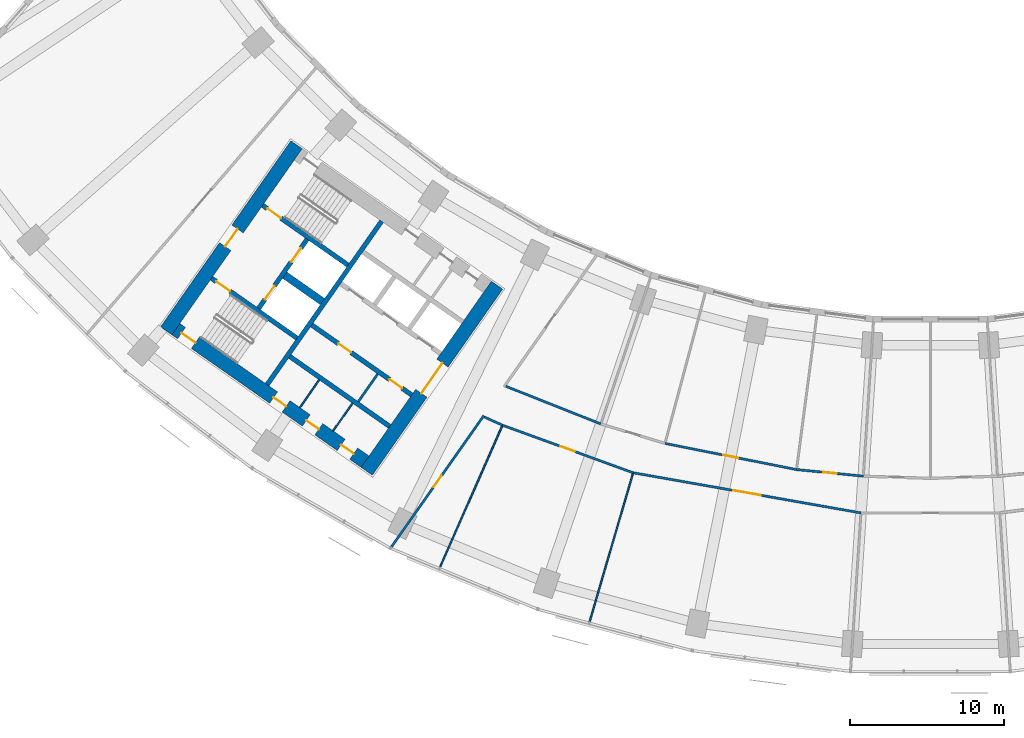
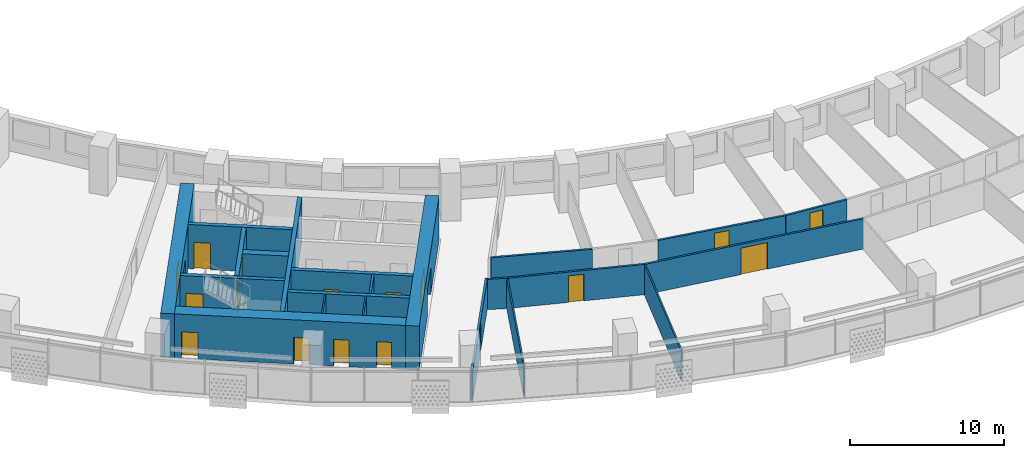
# One storey, part 3 of 31: 22 walls, 17 doors, 17 openings.
"""IFC4 building model written with IfcOpenShell, lengths in metres."""

from ifc_helpers import new_model, si_unit, direction, frame, frame_2d, origin, place, context, subcontext, project, spatial, rectangle, extrude, material, layer, layer_set, type_object, element, fill, save


model = new_model("IFC4")

# Units and contexts
model_context = context("Model", 3, precision=1e-05, world=origin(), true_north=direction((0.0, 1.0)))
body_context = subcontext(model_context, "Body", "Model", "MODEL_VIEW")
ifc_project = project(units=[si_unit("LENGTHUNIT", "METRE"), si_unit("AREAUNIT", "SQUARE_METRE"), si_unit("VOLUMEUNIT", "CUBIC_METRE"), si_unit("PLANEANGLEUNIT", "RADIAN"), si_unit("MASSUNIT", "GRAM", prefix="KILO")], contexts=[model_context])

# Site, building, storey
site_placement = place(None, origin())
site = spatial("IfcSite", under=ifc_project, at=site_placement, CompositionType="ELEMENT")
building_placement = place(site_placement, origin())
building = spatial("IfcBuilding", under=site, at=building_placement, Name="Qamariyya Broadcast Tower", CompositionType="ELEMENT")
storey_placement = place(building_placement, frame((0.0, 0.0, 59.5)))
storey = spatial("IfcBuildingStorey", under=building, at=storey_placement, Name="L11", CompositionType="ELEMENT", Elevation=59.5)

# Wall, opening, door
ifc_material_1 = material(Name="Concrete C70/85", Category="concrete")
ifc_layer_1 = layer(ifc_material_1, 0.89990234375)
ifc_layer_set_1 = layer_set([ifc_layer_1], Name="Core wall 900 mm Concrete C70/85")
wall_type_1 = type_object("IfcWallType", Name="Core wall 900 mm Concrete C70/85", PredefinedType="SHEAR", material=ifc_layer_set_1)
wall_1_placement = place(storey_placement, frame((-36.716796875, -66.3369140625, 0.0), z_axis=(0.0, 0.0, 1.0), x_axis=(0.573577477574, 0.819151315216, 0.0)))
wall_1 = element("IfcWall", 1, at=wall_1_placement, inside=storey, type_object=wall_type_1, Name="k-W-L11-WA", PredefinedType="SHEAR", context=body_context, shape_type="SweptSolid", body=[
    extrude(rectangle(XDim=14.800048828125, YDim=0.89990234375, at=frame_2d((7.39990234375, 0.0))), origin(), (0.0, 0.0, 1.0), 3.5),
])
opening_1_placement = place(wall_1_placement, frame((6.199951171875, 0.0, 0.0)))
opening_1 = element("IfcOpeningElement", 2, at=opening_1_placement, cuts=wall_1, Name="Opening KD3-W1", PredefinedType="OPENING", context=body_context, shape_type="SweptSolid", body=[
    extrude(rectangle(XDim=2.39990234375, YDim=2.10009765625, at=frame_2d((1.199951171875, 1.050048828125))), frame((0.0, 0.4599609375, 0.0), z_axis=(0.0, -1.0, 0.0), x_axis=(1.0, 0.0, 0.0)), (0.0, 0.0, 1.0), 0.919921875),
])
ifc_material_2 = material(Name="Steel fire-resisting door leaf", Category="steel")
door_type_1 = type_object("IfcDoorType", Name="Lift lobby door KD3", OperationType="DOUBLE_DOOR_SINGLE_SWING", PredefinedType="DOOR", material=ifc_material_2)
door_1_placement = place(opening_1_placement, origin())
door_1 = element("IfcDoor", 3, at=door_1_placement, inside=storey, type_object=door_type_1, Name="k-W-L11-WA-D1", OperationType="DOUBLE_DOOR_SINGLE_SWING", OverallHeight=2.10009765625, OverallWidth=2.39990234375, PredefinedType="DOOR", context=body_context, shape_type="SweptSolid", body=[
    extrude(rectangle(XDim=2.39990234375, YDim=2.10009765625, at=frame_2d((1.199951171875, 1.050048828125))), frame((0.0, 0.02490234375, 0.0), z_axis=(0.0, -1.0, 0.0), x_axis=(1.0, 0.0, 0.0)), (0.0, 0.0, 1.0), 0.050048828125),
])
fill(opening_1, door_1)

wall_2_placement = place(storey_placement, frame((-49.778564453125, -57.191162109375, 0.0), z_axis=(0.0, 0.0, 1.0), x_axis=(0.573577477574, 0.819151315216, 0.0)))
wall_2 = element("IfcWall", 4, at=wall_2_placement, inside=storey, type_object=wall_type_1, Name="k-W-L11-WH", PredefinedType="SHEAR", context=body_context, shape_type="SweptSolid", body=[
    extrude(rectangle(XDim=14.800048828125, YDim=0.89990234375, at=frame_2d((7.39990234375, 0.0))), origin(), (0.0, 0.0, 1.0), 3.5),
])
opening_2_placement = place(wall_2_placement, frame((6.699951171875, 0.0, 0.0)))
opening_2 = element("IfcOpeningElement", 5, at=opening_2_placement, cuts=wall_2, Name="Opening KD2-W1", PredefinedType="OPENING", context=body_context, shape_type="SweptSolid", body=[
    extrude(rectangle(XDim=1.39990234375, YDim=2.10009765625, at=frame_2d((0.699951171875, 1.050048828125))), frame((0.0, 0.4599609375, 0.0), z_axis=(0.0, -1.0, 0.0), x_axis=(1.0, 0.0, 0.0)), (0.0, 0.0, 1.0), 0.919921875),
])
door_type_2 = type_object("IfcDoorType", Name="Fire-fighting lobby door KD2", OperationType="DOUBLE_DOOR_SINGLE_SWING", PredefinedType="DOOR", material=ifc_material_2)
door_2_placement = place(opening_2_placement, origin())
door_2 = element("IfcDoor", 6, at=door_2_placement, inside=storey, type_object=door_type_2, Name="k-W-L11-WH-D15", OperationType="DOUBLE_DOOR_SINGLE_SWING", OverallHeight=2.10009765625, OverallWidth=1.39990234375, PredefinedType="DOOR", context=body_context, shape_type="SweptSolid", body=[
    extrude(rectangle(XDim=1.39990234375, YDim=2.10009765625, at=frame_2d((0.699951171875, 1.050048828125))), frame((0.0, 0.02490234375, 0.0), z_axis=(0.0, -1.0, 0.0), x_axis=(1.0, 0.0, 0.0)), (0.0, 0.0, 1.0), 0.050048828125),
])
fill(opening_2, door_2)

# Wall, openings, doors
wall_3_placement = place(storey_placement, frame((-36.827392578125, -65.710205078125, 0.0), z_axis=(0.0, 0.0, 1.0), x_axis=(-0.819153391756, 0.573574511963, 0.0)))
wall_3 = element("IfcWall", 7, at=wall_3_placement, inside=storey, type_object=wall_type_1, Name="k-W-L11-WO", PredefinedType="SHEAR", context=body_context, shape_type="SweptSolid", body=[
    extrude(rectangle(XDim=15.04541015625, YDim=0.89990234375, at=frame_2d((7.522705078125, 0.0))), origin(), (0.0, 0.0, 1.0), 3.5),
])
opening_3_placement = place(wall_3_placement, frame((0.89990234375, 0.0, 0.0)))
opening_3 = element("IfcOpeningElement", 8, at=opening_3_placement, cuts=wall_3, Name="Opening KD4-W2", PredefinedType="OPENING", context=body_context, shape_type="SweptSolid", body=[
    extrude(rectangle(XDim=1.0, YDim=2.10009765625, at=frame_2d((0.5, 1.050048828125))), frame((0.0, 0.4599609375, 0.0), z_axis=(0.0, -1.0, 0.0), x_axis=(1.0, 0.0, 0.0)), (0.0, 0.0, 1.0), 0.919921875),
])
opening_4_placement = place(wall_3_placement, frame((3.675048828125, 0.0, 0.0)))
opening_4 = element("IfcOpeningElement", 9, at=opening_4_placement, cuts=wall_3, Name="Opening KD4-W3", PredefinedType="OPENING", context=body_context, shape_type="SweptSolid", body=[
    extrude(rectangle(XDim=1.0, YDim=2.10009765625, at=frame_2d((0.5, 1.050048828125))), frame((0.0, 0.4599609375, 0.0), z_axis=(0.0, -1.0, 0.0), x_axis=(1.0, 0.0, 0.0)), (0.0, 0.0, 1.0), 0.919921875),
])
opening_5_placement = place(wall_3_placement, frame((6.27490234375, 0.0, 0.0)))
opening_5 = element("IfcOpeningElement", 10, at=opening_5_placement, cuts=wall_3, Name="Opening KD4-W4", PredefinedType="OPENING", context=body_context, shape_type="SweptSolid", body=[
    extrude(rectangle(XDim=1.0, YDim=2.10009765625, at=frame_2d((0.5, 1.050048828125))), frame((0.0, 0.4599609375, 0.0), z_axis=(0.0, -1.0, 0.0), x_axis=(1.0, 0.0, 0.0)), (0.0, 0.0, 1.0), 0.919921875),
])
opening_6_placement = place(wall_3_placement, frame((13.495361328125, 0.0, 0.0)))
opening_6 = element("IfcOpeningElement", 11, at=opening_6_placement, cuts=wall_3, Name="Opening KD1-W3", PredefinedType="OPENING", context=body_context, shape_type="SweptSolid", body=[
    extrude(rectangle(XDim=1.10009765625, YDim=2.10009765625, at=frame_2d((0.550048828125, 1.050048828125))), frame((0.0, 0.4599609375, 0.0), z_axis=(0.0, -1.0, 0.0), x_axis=(1.0, 0.0, 0.0)), (0.0, 0.0, 1.0), 0.919921875),
])
door_type_3 = type_object("IfcDoorType", Name="Riser and plant door KD4", OperationType="SINGLE_SWING_LEFT", PredefinedType="DOOR", material=ifc_material_2)
door_3_placement = place(opening_3_placement, origin())
door_3 = element("IfcDoor", 12, at=door_3_placement, inside=storey, type_object=door_type_3, Name="k-W-L11-WO-D10", OperationType="SINGLE_SWING_LEFT", OverallHeight=2.10009765625, OverallWidth=1.0, PredefinedType="DOOR", context=body_context, shape_type="SweptSolid", body=[
    extrude(rectangle(XDim=1.0, YDim=2.10009765625, at=frame_2d((0.5, 1.050048828125))), frame((0.0, 0.02490234375, 0.0), z_axis=(0.0, -1.0, 0.0), x_axis=(1.0, 0.0, 0.0)), (0.0, 0.0, 1.0), 0.050048828125),
])
fill(opening_3, door_3)
door_4_placement = place(opening_4_placement, origin())
door_4 = element("IfcDoor", 13, at=door_4_placement, inside=storey, type_object=door_type_3, Name="k-W-L11-WO-D11", OperationType="SINGLE_SWING_RIGHT", OverallHeight=2.10009765625, OverallWidth=1.0, PredefinedType="DOOR", context=body_context, shape_type="SweptSolid", body=[
    extrude(rectangle(XDim=1.0, YDim=2.10009765625, at=frame_2d((0.5, 1.050048828125))), frame((0.0, 0.02490234375, 0.0), z_axis=(0.0, -1.0, 0.0), x_axis=(1.0, 0.0, 0.0)), (0.0, 0.0, 1.0), 0.050048828125),
])
fill(opening_4, door_4)
door_5_placement = place(opening_5_placement, origin())
door_5 = element("IfcDoor", 14, at=door_5_placement, inside=storey, type_object=door_type_3, Name="k-W-L11-WO-D12", OperationType="SINGLE_SWING_LEFT", OverallHeight=2.10009765625, OverallWidth=1.0, PredefinedType="DOOR", context=body_context, shape_type="SweptSolid", body=[
    extrude(rectangle(XDim=1.0, YDim=2.10009765625, at=frame_2d((0.5, 1.050048828125))), frame((0.0, 0.02490234375, 0.0), z_axis=(0.0, -1.0, 0.0), x_axis=(1.0, 0.0, 0.0)), (0.0, 0.0, 1.0), 0.050048828125),
])
fill(opening_5, door_5)
door_type_4 = type_object("IfcDoorType", Name="Stair door KD1", OperationType="SINGLE_SWING_LEFT", PredefinedType="DOOR", material=ifc_material_2)
door_6_placement = place(opening_6_placement, origin())
door_6 = element("IfcDoor", 15, at=door_6_placement, inside=storey, type_object=door_type_4, Name="k-W-L11-WO-D18", OperationType="SINGLE_SWING_LEFT", OverallHeight=2.10009765625, OverallWidth=1.10009765625, PredefinedType="DOOR", context=body_context, shape_type="SweptSolid", body=[
    extrude(rectangle(XDim=1.10009765625, YDim=2.10009765625, at=frame_2d((0.550048828125, 1.050048828125))), frame((0.0, 0.02490234375, 0.0), z_axis=(0.0, -1.0, 0.0), x_axis=(1.0, 0.0, 0.0)), (0.0, 0.0, 1.0), 0.050048828125),
])
fill(opening_6, door_6)

# Wall, opening, door
ifc_material_3 = material(Name="Gypsum board partition")
ifc_layer_2 = layer(ifc_material_3, 0.14990234375)
ifc_layer_set_2 = layer_set([ifc_layer_2], Name="Corridor partition 150 EI 60")
wall_type_2 = type_object("IfcWallType", Name="Corridor partition 150 EI 60", PredefinedType="PARTITIONING", material=ifc_layer_set_2)
wall_4_placement = place(storey_placement, frame((-29.087890625, -62.708251953125, 0.0), z_axis=(0.0, 0.0, 1.0), x_axis=(-0.575411972256, -0.817863718589, 0.0)))
wall_4 = element("IfcWall", 16, at=wall_4_placement, inside=storey, type_object=wall_type_2, Name="Partition L11-003", PredefinedType="PARTITIONING", context=body_context, shape_type="SweptSolid", body=[
    extrude(rectangle(XDim=10.471435546875, YDim=0.14990234375, at=frame_2d((5.23583984375, 0.0))), origin(), (0.0, 0.0, 1.0), 2.39990234375),
])
opening_7_placement = place(wall_4_placement, frame((4.78564453125, 0.0, 0.0)))
opening_7 = element("IfcOpeningElement", 17, at=opening_7_placement, cuts=wall_4, Name="Opening L11-D01", PredefinedType="OPENING", context=body_context, shape_type="SweptSolid", body=[
    extrude(rectangle(XDim=0.89990234375, YDim=2.10009765625, at=frame_2d((0.449951171875, 1.050048828125))), frame((0.0, 0.0849609375, 0.0), z_axis=(0.0, -1.0, 0.0), x_axis=(1.0, 0.0, 0.0)), (0.0, 0.0, 1.0), 0.169921875),
])
ifc_material_4 = material(Name="Timber fire door leaf", Category="wood")
door_type_5 = type_object("IfcDoorType", Name="Fire door 900 x 2100 FD60", OperationType="NOTDEFINED", PredefinedType="DOOR", material=ifc_material_4)
door_7_placement = place(opening_7_placement, origin())
door_7 = element("IfcDoor", 18, at=door_7_placement, inside=storey, type_object=door_type_5, Name="Door L11-D01", OperationType="SINGLE_SWING_RIGHT", OverallHeight=2.10009765625, OverallWidth=0.89990234375, PredefinedType="DOOR", context=body_context, shape_type="SweptSolid", body=[
    extrude(rectangle(XDim=0.89990234375, YDim=2.10009765625, at=frame_2d((0.449951171875, 1.050048828125))), frame((0.0, 0.02490234375, 0.0), z_axis=(0.0, -1.0, 0.0), x_axis=(1.0, 0.0, 0.0)), (0.0, 0.0, 1.0), 0.050048828125),
])
fill(opening_7, door_7)

# Wall
wall_5_placement = place(storey_placement, frame((-29.062744140625, -62.800537109375, 0.0), z_axis=(0.0, 0.0, 1.0), x_axis=(0.911228141646, -0.411902019748, 0.0)))
element("IfcWall", 19, at=wall_5_placement, inside=storey, type_object=wall_type_2, Name="Partition L11-004", PredefinedType="PARTITIONING", context=body_context, shape_type="SweptSolid", body=[
    extrude(rectangle(XDim=1.306884765625, YDim=0.14990234375, at=frame_2d((0.6533203125, 0.0))), origin(), (0.0, 0.0, 1.0), 2.39990234375),
])

# Wall, opening, door
wall_6_placement = place(storey_placement, frame((-19.365966796875, -66.434814453125, 0.0), z_axis=(0.0, 0.0, 1.0), x_axis=(-0.939690219257, 0.342026741401, 0.0)))
wall_6 = element("IfcWall", 20, at=wall_6_placement, inside=storey, type_object=wall_type_2, Name="Partition L11-005", PredefinedType="PARTITIONING", context=body_context, shape_type="SweptSolid", body=[
    extrude(rectangle(XDim=9.0517578125, YDim=0.14990234375, at=frame_2d((4.52587890625, 0.0))), origin(), (0.0, 0.0, 1.0), 2.39990234375),
])
opening_8_placement = place(wall_6_placement, frame((4.02587890625, 0.0, 0.0)))
opening_8 = element("IfcOpeningElement", 21, at=opening_8_placement, cuts=wall_6, Name="Opening L11-D02", PredefinedType="OPENING", context=body_context, shape_type="SweptSolid", body=[
    extrude(rectangle(XDim=1.0, YDim=2.10009765625, at=frame_2d((0.5, 1.050048828125))), frame((0.0, 0.0849609375, 0.0), z_axis=(0.0, -1.0, 0.0), x_axis=(1.0, 0.0, 0.0)), (0.0, 0.0, 1.0), 0.169921875),
])
door_type_6 = type_object("IfcDoorType", Name="Fire door 1000 x 2100 FD60", OperationType="NOTDEFINED", PredefinedType="DOOR", material=ifc_material_4)
door_8_placement = place(opening_8_placement, origin())
door_8 = element("IfcDoor", 22, at=door_8_placement, inside=storey, type_object=door_type_6, Name="Door L11-D02", OperationType="SINGLE_SWING_RIGHT", OverallHeight=2.10009765625, OverallWidth=1.0, PredefinedType="DOOR", context=body_context, shape_type="SweptSolid", body=[
    extrude(rectangle(XDim=1.0, YDim=2.10009765625, at=frame_2d((0.5, 1.050048828125))), frame((0.0, 0.02490234375, 0.0), z_axis=(0.0, -1.0, 0.0), x_axis=(1.0, 0.0, 0.0)), (0.0, 0.0, 1.0), 0.050048828125),
])
fill(opening_8, door_8)

# Wall
wall_7_placement = place(storey_placement, frame((-27.6572265625, -60.801513671875, 0.0), z_axis=(0.0, 0.0, 1.0), x_axis=(0.929543215203, -0.368713182663, 0.0)))
element("IfcWall", 23, at=wall_7_placement, inside=storey, type_object=wall_type_2, Name="Partition L11-006", PredefinedType="PARTITIONING", context=body_context, shape_type="SweptSolid", body=[
    extrude(rectangle(XDim=6.65380859375, YDim=0.14990234375, at=frame_2d((3.326904296875, 0.0))), origin(), (0.0, 0.0, 1.0), 2.39990234375),
])

# Wall, opening, door
wall_8_placement = place(storey_placement, frame((-4.52587890625, -69.0517578125, 0.0), z_axis=(0.0, 0.0, 1.0), x_axis=(-0.984805080703, 0.173663332402, 0.0)))
wall_8 = element("IfcWall", 24, at=wall_8_placement, inside=storey, type_object=wall_type_2, Name="Partition L11-010", PredefinedType="PARTITIONING", context=body_context, shape_type="SweptSolid", body=[
    extrude(rectangle(XDim=15.069091796875, YDim=0.14990234375, at=frame_2d((7.53466796875, 0.0))), origin(), (0.0, 0.0, 1.0), 2.39990234375),
])
opening_9_placement = place(wall_8_placement, frame((6.634521484375, 0.0, 0.0)))
opening_9 = element("IfcOpeningElement", 25, at=opening_9_placement, cuts=wall_8, Name="Opening L11-D03", PredefinedType="OPENING", context=body_context, shape_type="SweptSolid", body=[
    extrude(rectangle(XDim=1.800048828125, YDim=2.10009765625, at=frame_2d((0.89990234375, 1.050048828125))), frame((0.0, 0.0849609375, 0.0), z_axis=(0.0, -1.0, 0.0), x_axis=(1.0, 0.0, 0.0)), (0.0, 0.0, 1.0), 0.169921875),
])
door_type_7 = type_object("IfcDoorType", Name="Double fire door 1800 x 2100 FD60", OperationType="NOTDEFINED", PredefinedType="DOOR", material=ifc_material_4)
door_9_placement = place(opening_9_placement, origin())
door_9 = element("IfcDoor", 26, at=door_9_placement, inside=storey, type_object=door_type_7, Name="Door L11-D03", OperationType="DOUBLE_DOOR_SINGLE_SWING", OverallHeight=2.10009765625, OverallWidth=1.800048828125, PredefinedType="DOOR", context=body_context, shape_type="SweptSolid", body=[
    extrude(rectangle(XDim=1.800048828125, YDim=2.10009765625, at=frame_2d((0.89990234375, 1.050048828125))), frame((0.0, 0.02490234375, 0.0), z_axis=(0.0, -1.0, 0.0), x_axis=(1.0, 0.0, 0.0)), (0.0, 0.0, 1.0), 0.050048828125),
])
fill(opening_9, door_9)

wall_9_placement = place(storey_placement, frame((-17.2890625, -64.52392578125, 0.0), z_axis=(0.0, 0.0, 1.0), x_axis=(0.980786466832, -0.195084357342, 0.0)))
wall_9 = element("IfcWall", 27, at=wall_9_placement, inside=storey, type_object=wall_type_2, Name="Partition L11-012", PredefinedType="PARTITIONING", context=body_context, shape_type="SweptSolid", body=[
    extrude(rectangle(XDim=8.73779296875, YDim=0.14990234375, at=frame_2d((4.368896484375, 0.0))), origin(), (0.0, 0.0, 1.0), 2.39990234375),
])
opening_10_placement = place(wall_9_placement, frame((3.868896484375, 0.0, 0.0)))
opening_10 = element("IfcOpeningElement", 28, at=opening_10_placement, cuts=wall_9, Name="Opening L11-D10", PredefinedType="OPENING", context=body_context, shape_type="SweptSolid", body=[
    extrude(rectangle(XDim=1.0, YDim=2.10009765625, at=frame_2d((0.5, 1.050048828125))), frame((0.0, 0.0849609375, 0.0), z_axis=(0.0, -1.0, 0.0), x_axis=(1.0, 0.0, 0.0)), (0.0, 0.0, 1.0), 0.169921875),
])
door_10_placement = place(opening_10_placement, origin())
door_10 = element("IfcDoor", 29, at=door_10_placement, inside=storey, type_object=door_type_6, Name="Door L11-D10", OperationType="SINGLE_SWING_RIGHT", OverallHeight=2.10009765625, OverallWidth=1.0, PredefinedType="DOOR", context=body_context, shape_type="SweptSolid", body=[
    extrude(rectangle(XDim=1.0, YDim=2.10009765625, at=frame_2d((0.5, 1.050048828125))), frame((0.0, 0.02490234375, 0.0), z_axis=(0.0, -1.0, 0.0), x_axis=(1.0, 0.0, 0.0)), (0.0, 0.0, 1.0), 0.050048828125),
])
fill(opening_10, door_10)

wall_10_placement = place(storey_placement, frame((-8.71923828125, -66.228515625, 0.0), z_axis=(0.0, 0.0, 1.0), x_axis=(0.995184826457, -0.098016127192, 0.0)))
wall_10 = element("IfcWall", 30, at=wall_10_placement, inside=storey, type_object=wall_type_2, Name="Partition L11-014", PredefinedType="PARTITIONING", context=body_context, shape_type="SweptSolid", body=[
    extrude(rectangle(XDim=4.371337890625, YDim=0.14990234375, at=frame_2d((2.185546875, 0.0))), origin(), (0.0, 0.0, 1.0), 2.39990234375),
])
opening_11_placement = place(wall_10_placement, frame((1.735595703125, 0.0, 0.0)))
opening_11 = element("IfcOpeningElement", 31, at=opening_11_placement, cuts=wall_10, Name="Opening L11-D11", PredefinedType="OPENING", context=body_context, shape_type="SweptSolid", body=[
    extrude(rectangle(XDim=0.89990234375, YDim=2.10009765625, at=frame_2d((0.449951171875, 1.050048828125))), frame((0.0, 0.0849609375, 0.0), z_axis=(0.0, -1.0, 0.0), x_axis=(1.0, 0.0, 0.0)), (0.0, 0.0, 1.0), 0.169921875),
])
door_11_placement = place(opening_11_placement, origin())
door_11 = element("IfcDoor", 32, at=door_11_placement, inside=storey, type_object=door_type_5, Name="Door L11-D11", OperationType="SINGLE_SWING_RIGHT", OverallHeight=2.10009765625, OverallWidth=0.89990234375, PredefinedType="DOOR", context=body_context, shape_type="SweptSolid", body=[
    extrude(rectangle(XDim=0.89990234375, YDim=2.10009765625, at=frame_2d((0.449951171875, 1.050048828125))), frame((0.0, 0.02490234375, 0.0), z_axis=(0.0, -1.0, 0.0), x_axis=(1.0, 0.0, 0.0)), (0.0, 0.0, 1.0), 0.050048828125),
])
fill(opening_11, door_11)

# Walls
ifc_material_5 = material(Name="Concrete C60/75", Category="concrete")
ifc_layer_3 = layer(ifc_material_5, 0.5)
ifc_layer_set_3 = layer_set([ifc_layer_3], Name="Fire-fighting lobby divider wall 500 mm Concrete C60/75")
wall_type_3 = type_object("IfcWallType", Name="Fire-fighting lobby divider wall 500 mm Concrete C60/75", PredefinedType="SOLIDWALL", material=ifc_layer_set_3)
wall_11_placement = place(storey_placement, frame((-39.59912109375, -55.28515625, 0.0), z_axis=(0.0, 0.0, 1.0), x_axis=(-0.819136323161, 0.573598887793, 0.0)))
element("IfcWall", 33, at=wall_11_placement, inside=storey, type_object=wall_type_3, Name="k-W-L11-FD", PredefinedType="SOLIDWALL", context=body_context, shape_type="SweptSolid", body=[
    extrude(rectangle(XDim=2.999755859375, YDim=0.5, at=frame_2d((1.5, 0.0))), origin(), (0.0, 0.0, 1.0), 3.5),
])
ifc_material_6 = material(Name="Gypsum board partition on steel studs", Category="steel")
ifc_layer_4 = layer(ifc_material_6, 0.14990234375)
ifc_layer_set_4 = layer_set([ifc_layer_4], Name="Gypsum board partition 150 mm")
wall_type_4 = type_object("IfcWallType", Name="Gypsum board partition 150 mm", PredefinedType="PARTITIONING", material=ifc_layer_set_4)
wall_12_placement = place(storey_placement, frame((-36.003173828125, -60.000244140625, 0.0), z_axis=(0.0, 0.0, 1.0), x_axis=(-0.573581496053, -0.819148501424, 0.0)))
element("IfcWall", 34, at=wall_12_placement, inside=storey, type_object=wall_type_4, Name="k-W-L11-SC260", PredefinedType="PARTITIONING", context=body_context, shape_type="SweptSolid", body=[
    extrude(rectangle(XDim=2.2001953125, YDim=0.14990234375, at=frame_2d((1.10009765625, 0.0))), origin(), (0.0, 0.0, 1.0), 3.5),
])
ifc_layer_5 = layer(ifc_material_5, 0.300048828125)
ifc_layer_set_5 = layer_set([ifc_layer_5], Name="Lift shaft wall 300 mm Concrete C60/75")
wall_type_5 = type_object("IfcWallType", Name="Lift shaft wall 300 mm Concrete C60/75", PredefinedType="SOLIDWALL", material=ifc_layer_set_5)
wall_13_placement = place(storey_placement, frame((-43.204345703125, -60.69580078125, 0.0), z_axis=(0.0, 0.0, 1.0), x_axis=(0.573571992966, 0.819155155563, 0.0)))
element("IfcWall", 35, at=wall_13_placement, inside=storey, type_object=wall_type_5, Name="k-W-L11-WL", PredefinedType="SOLIDWALL", context=body_context, shape_type="SweptSolid", body=[
    extrude(rectangle(XDim=13.000244140625, YDim=0.300048828125, at=frame_2d((6.5, 0.0))), origin(), (0.0, 0.0, 1.0), 3.5),
])

# Wall, openings, doors
wall_14_placement = place(storey_placement, frame((-33.787353515625, -61.368896484375, 0.0), z_axis=(0.0, 0.0, 1.0), x_axis=(-0.819152564888, 0.573575692858, 0.0)))
wall_14 = element("IfcWall", 36, at=wall_14_placement, inside=storey, type_object=wall_type_5, Name="k-W-L11-SF0", PredefinedType="SOLIDWALL", context=body_context, shape_type="SweptSolid", body=[
    extrude(rectangle(XDim=7.9501953125, YDim=0.300048828125, at=frame_2d((3.97509765625, 0.0))), origin(), (0.0, 0.0, 1.0), 3.5),
])
opening_12_placement = place(wall_14_placement, frame((0.762451171875, 0.0, 0.0)))
opening_12 = element("IfcOpeningElement", 37, at=opening_12_placement, cuts=wall_14, Name="Opening KD4-W1", PredefinedType="OPENING", context=body_context, shape_type="SweptSolid", body=[
    extrude(rectangle(XDim=1.0, YDim=2.10009765625, at=frame_2d((0.5, 1.050048828125))), frame((0.0, 0.159912109375, 0.0), z_axis=(0.0, -1.0, 0.0), x_axis=(1.0, 0.0, 0.0)), (0.0, 0.0, 1.0), 0.320068359375),
])
opening_13_placement = place(wall_14_placement, frame((4.8125, 0.0, 0.0)))
opening_13 = element("IfcOpeningElement", 38, at=opening_13_placement, cuts=wall_14, Name="Opening KD6-W1", PredefinedType="OPENING", context=body_context, shape_type="SweptSolid", body=[
    extrude(rectangle(XDim=1.0, YDim=2.10009765625, at=frame_2d((0.5, 1.050048828125))), frame((0.0, 0.159912109375, 0.0), z_axis=(0.0, -1.0, 0.0), x_axis=(1.0, 0.0, 0.0)), (0.0, 0.0, 1.0), 0.320068359375),
])
door_type_8 = type_object("IfcDoorType", Name="Core room door KD6", OperationType="SINGLE_SWING_LEFT", PredefinedType="DOOR", material=ifc_material_2)
door_12_placement = place(opening_13_placement, origin())
door_12 = element("IfcDoor", 39, at=door_12_placement, inside=storey, type_object=door_type_8, Name="k-W-L11-SF0-D6", OperationType="SINGLE_SWING_LEFT", OverallHeight=2.10009765625, OverallWidth=1.0, PredefinedType="DOOR", context=body_context, shape_type="SweptSolid", body=[
    extrude(rectangle(XDim=1.0, YDim=2.10009765625, at=frame_2d((0.5, 1.050048828125))), frame((0.0, 0.02490234375, 0.0), z_axis=(0.0, -1.0, 0.0), x_axis=(1.0, 0.0, 0.0)), (0.0, 0.0, 1.0), 0.050048828125),
])
fill(opening_13, door_12)
door_13_placement = place(opening_12_placement, origin())
door_13 = element("IfcDoor", 40, at=door_13_placement, inside=storey, type_object=door_type_3, Name="k-W-L11-SF0-D5", OperationType="SINGLE_SWING_RIGHT", OverallHeight=2.10009765625, OverallWidth=1.0, PredefinedType="DOOR", context=body_context, shape_type="SweptSolid", body=[
    extrude(rectangle(XDim=1.0, YDim=2.10009765625, at=frame_2d((0.5, 1.050048828125))), frame((0.0, 0.02490234375, 0.0), z_axis=(0.0, -1.0, 0.0), x_axis=(1.0, 0.0, 0.0)), (0.0, 0.0, 1.0), 0.050048828125),
])
fill(opening_12, door_13)

# Wall
wall_15_placement = place(storey_placement, frame((-35.22119140625, -63.41650390625, 0.0), z_axis=(0.0, 0.0, 1.0), x_axis=(-0.819166993208, 0.573555086491, 0.0)))
element("IfcWall", 41, at=wall_15_placement, inside=storey, type_object=wall_type_5, Name="k-W-L11-SB0", PredefinedType="SOLIDWALL", context=body_context, shape_type="SweptSolid", body=[
    extrude(rectangle(XDim=7.9501953125, YDim=0.300048828125, at=frame_2d((3.97509765625, 0.0))), origin(), (0.0, 0.0, 1.0), 3.5),
])

# Wall, opening, door
wall_16_placement = place(storey_placement, frame((-37.935546875, -52.90966796875, 0.0), z_axis=(0.0, 0.0, 1.0), x_axis=(-0.819147518138, 0.57358290031, 0.0)))
wall_16 = element("IfcWall", 42, at=wall_16_placement, inside=storey, type_object=wall_type_5, Name="k-W-L11-NW", PredefinedType="SOLIDWALL", context=body_context, shape_type="SweptSolid", body=[
    extrude(rectangle(XDim=6.79541015625, YDim=0.300048828125, at=frame_2d((3.397705078125, 0.0))), origin(), (0.0, 0.0, 1.0), 3.5),
])
opening_14_placement = place(wall_16_placement, frame((5.3203125, 0.0, 0.0)))
opening_14 = element("IfcOpeningElement", 43, at=opening_14_placement, cuts=wall_16, Name="Opening KD1-W2", PredefinedType="OPENING", context=body_context, shape_type="SweptSolid", body=[
    extrude(rectangle(XDim=1.10009765625, YDim=2.10009765625, at=frame_2d((0.550048828125, 1.050048828125))), frame((0.0, 0.159912109375, 0.0), z_axis=(0.0, -1.0, 0.0), x_axis=(1.0, 0.0, 0.0)), (0.0, 0.0, 1.0), 0.320068359375),
])
door_14_placement = place(opening_14_placement, origin())
door_14 = element("IfcDoor", 44, at=door_14_placement, inside=storey, type_object=door_type_4, Name="k-W-L11-NW-D17", OperationType="SINGLE_SWING_RIGHT", OverallHeight=2.10009765625, OverallWidth=1.10009765625, PredefinedType="DOOR", context=body_context, shape_type="SweptSolid", body=[
    extrude(rectangle(XDim=1.10009765625, YDim=2.10009765625, at=frame_2d((0.550048828125, 1.050048828125))), frame((0.0, 0.02490234375, 0.0), z_axis=(0.0, -1.0, 0.0), x_axis=(1.0, 0.0, 0.0)), (0.0, 0.0, 1.0), 0.050048828125),
])
fill(opening_14, door_14)

wall_17_placement = place(storey_placement, frame((-41.262451171875, -57.66064453125, 0.0), z_axis=(0.0, 0.0, 1.0), x_axis=(-0.819164398642, 0.573558792102, 0.0)))
wall_17 = element("IfcWall", 45, at=wall_17_placement, inside=storey, type_object=wall_type_5, Name="k-W-L11-SW", PredefinedType="SOLIDWALL", context=body_context, shape_type="SweptSolid", body=[
    extrude(rectangle(XDim=6.795166015625, YDim=0.300048828125, at=frame_2d((3.3974609375, 0.0))), origin(), (0.0, 0.0, 1.0), 3.5),
])
opening_15_placement = place(wall_17_placement, frame((5.3203125, 0.0, 0.0)))
opening_15 = element("IfcOpeningElement", 46, at=opening_15_placement, cuts=wall_17, Name="Opening KD1-W4", PredefinedType="OPENING", context=body_context, shape_type="SweptSolid", body=[
    extrude(rectangle(XDim=1.10009765625, YDim=2.10009765625, at=frame_2d((0.550048828125, 1.050048828125))), frame((0.0, 0.159912109375, 0.0), z_axis=(0.0, -1.0, 0.0), x_axis=(1.0, 0.0, 0.0)), (0.0, 0.0, 1.0), 0.320068359375),
])
door_15_placement = place(opening_15_placement, origin())
door_15 = element("IfcDoor", 47, at=door_15_placement, inside=storey, type_object=door_type_4, Name="k-W-L11-SW-D19", OperationType="SINGLE_SWING_RIGHT", OverallHeight=2.10009765625, OverallWidth=1.10009765625, PredefinedType="DOOR", context=body_context, shape_type="SweptSolid", body=[
    extrude(rectangle(XDim=1.10009765625, YDim=2.10009765625, at=frame_2d((0.550048828125, 1.050048828125))), frame((0.0, 0.02490234375, 0.0), z_axis=(0.0, -1.0, 0.0), x_axis=(1.0, 0.0, 0.0)), (0.0, 0.0, 1.0), 0.050048828125),
])
fill(opening_15, door_15)

# Wall, openings, doors
wall_18_placement = place(storey_placement, frame((-43.756591796875, -55.731201171875, 0.0), z_axis=(0.0, 0.0, 1.0), x_axis=(0.573536818435, 0.819179783625, 0.0)))
wall_18 = element("IfcWall", 48, at=wall_18_placement, inside=storey, type_object=wall_type_5, Name="k-W-L11-FF", PredefinedType="SOLIDWALL", context=body_context, shape_type="SweptSolid", body=[
    extrude(rectangle(XDim=5.500244140625, YDim=0.300048828125, at=frame_2d((2.75, 0.0))), origin(), (0.0, 0.0, 1.0), 3.5),
])
opening_16_placement = place(wall_18_placement, frame((0.699951171875, 0.0, 0.0)))
opening_16 = element("IfcOpeningElement", 49, at=opening_16_placement, cuts=wall_18, Name="Opening LD", PredefinedType="OPENING", context=body_context, shape_type="SweptSolid", body=[
    extrude(rectangle(XDim=1.10009765625, YDim=2.10009765625, at=frame_2d((0.550048828125, 1.050048828125))), frame((0.0, 0.159912109375, 0.0), z_axis=(0.0, -1.0, 0.0), x_axis=(1.0, 0.0, 0.0)), (0.0, 0.0, 1.0), 0.320068359375),
])
opening_17_placement = place(wall_18_placement, frame((3.699951171875, 0.0, 0.0)))
opening_17 = element("IfcOpeningElement", 50, at=opening_17_placement, cuts=wall_18, Name="Opening LD", PredefinedType="OPENING", context=body_context, shape_type="SweptSolid", body=[
    extrude(rectangle(XDim=1.10009765625, YDim=2.10009765625, at=frame_2d((0.550048828125, 1.050048828125))), frame((0.0, 0.159912109375, 0.0), z_axis=(0.0, -1.0, 0.0), x_axis=(1.0, 0.0, 0.0)), (0.0, 0.0, 1.0), 0.320068359375),
])
door_type_9 = type_object("IfcDoorType", Name="Lift landing door LD", OperationType="DOUBLE_DOOR_SLIDING", PredefinedType="DOOR", material=ifc_material_2)
door_16_placement = place(opening_16_placement, origin())
door_16 = element("IfcDoor", 51, at=door_16_placement, inside=storey, type_object=door_type_9, Name="k-W-L11-FF-D13", OperationType="DOUBLE_DOOR_SLIDING", OverallHeight=2.10009765625, OverallWidth=1.10009765625, PredefinedType="DOOR", context=body_context, shape_type="SweptSolid", body=[
    extrude(rectangle(XDim=1.10009765625, YDim=2.10009765625, at=frame_2d((0.550048828125, 1.050048828125))), frame((0.0, 0.02490234375, 0.0), z_axis=(0.0, -1.0, 0.0), x_axis=(1.0, 0.0, 0.0)), (0.0, 0.0, 1.0), 0.050048828125),
])
fill(opening_16, door_16)
door_17_placement = place(opening_17_placement, origin())
door_17 = element("IfcDoor", 52, at=door_17_placement, inside=storey, type_object=door_type_9, Name="k-W-L11-FF-D14", OperationType="DOUBLE_DOOR_SLIDING", OverallHeight=2.10009765625, OverallWidth=1.10009765625, PredefinedType="DOOR", context=body_context, shape_type="SweptSolid", body=[
    extrude(rectangle(XDim=1.10009765625, YDim=2.10009765625, at=frame_2d((0.550048828125, 1.050048828125))), frame((0.0, 0.02490234375, 0.0), z_axis=(0.0, -1.0, 0.0), x_axis=(1.0, 0.0, 0.0)), (0.0, 0.0, 1.0), 0.050048828125),
])
fill(opening_17, door_17)

# Walls
ifc_layer_6 = layer(ifc_material_3, 0.10009765625)
ifc_layer_set_6 = layer_set([ifc_layer_6], Name="Partition 100")
wall_type_6 = type_object("IfcWallType", Name="Partition 100", PredefinedType="PARTITIONING", material=ifc_layer_set_6)
wall_19_placement = place(storey_placement, frame((-31.939208984375, -72.581787109375, 0.0), z_axis=(0.0, 0.0, 1.0), x_axis=(0.402772897096, 0.915299947211, 0.0)))
element("IfcWall", 53, at=wall_19_placement, inside=storey, type_object=wall_type_6, Name="Partition L11-002", PredefinedType="PARTITIONING", context=body_context, shape_type="SweptSolid", body=[
    extrude(rectangle(XDim=10.023193359375, YDim=0.10009765625, at=frame_2d((5.01171875, 0.0))), origin(), (0.0, 0.0, 1.0), 2.39990234375),
])
wall_20_placement = place(storey_placement, frame((-22.192138671875, -76.1298828125, 0.0), z_axis=(0.0, 0.0, 1.0), x_axis=(0.279857832074, 0.960041454223, 0.0)))
element("IfcWall", 54, at=wall_20_placement, inside=storey, type_object=wall_type_6, Name="Partition L11-007", PredefinedType="PARTITIONING", context=body_context, shape_type="SweptSolid", body=[
    extrude(rectangle(XDim=10.023681640625, YDim=0.10009765625, at=frame_2d((5.01171875, 0.0))), origin(), (0.0, 0.0, 1.0), 2.39990234375),
])
ifc_material_7 = material(Name="Fire-rated gypsum shaft liner on steel studs", Category="steel")
ifc_layer_7 = layer(ifc_material_7, 0.10009765625)
ifc_layer_set_7 = layer_set([ifc_layer_7], Name="Riser wall 100 mm")
wall_type_7 = type_object("IfcWallType", Name="Riser wall 100 mm", PredefinedType="PLUMBINGWALL", material=ifc_layer_set_7)
wall_21_placement = place(storey_placement, frame((-37.64208984375, -61.90478515625, 0.0), z_axis=(0.0, 0.0, 1.0), x_axis=(-0.573507030513, -0.819200638399, 0.0)))
element("IfcWall", 55, at=wall_21_placement, inside=storey, type_object=wall_type_7, Name="k-W-L11-SP285", PredefinedType="PLUMBINGWALL", context=body_context, shape_type="SweptSolid", body=[
    extrude(rectangle(XDim=2.199951171875, YDim=0.10009765625, at=frame_2d((1.10009765625, 0.0))), origin(), (0.0, 0.0, 1.0), 3.5),
])
wall_22_placement = place(storey_placement, frame((-39.812744140625, -60.384765625, 0.0), z_axis=(0.0, 0.0, 1.0), x_axis=(-0.573581496053, -0.819148501424, 0.0)))
element("IfcWall", 56, at=wall_22_placement, inside=storey, type_object=wall_type_7, Name="k-W-L11-SP550", PredefinedType="PLUMBINGWALL", context=body_context, shape_type="SweptSolid", body=[
    extrude(rectangle(XDim=2.2001953125, YDim=0.10009765625, at=frame_2d((1.10009765625, 0.0))), origin(), (0.0, 0.0, 1.0), 3.5),
])

save(model, "model.ifc")
